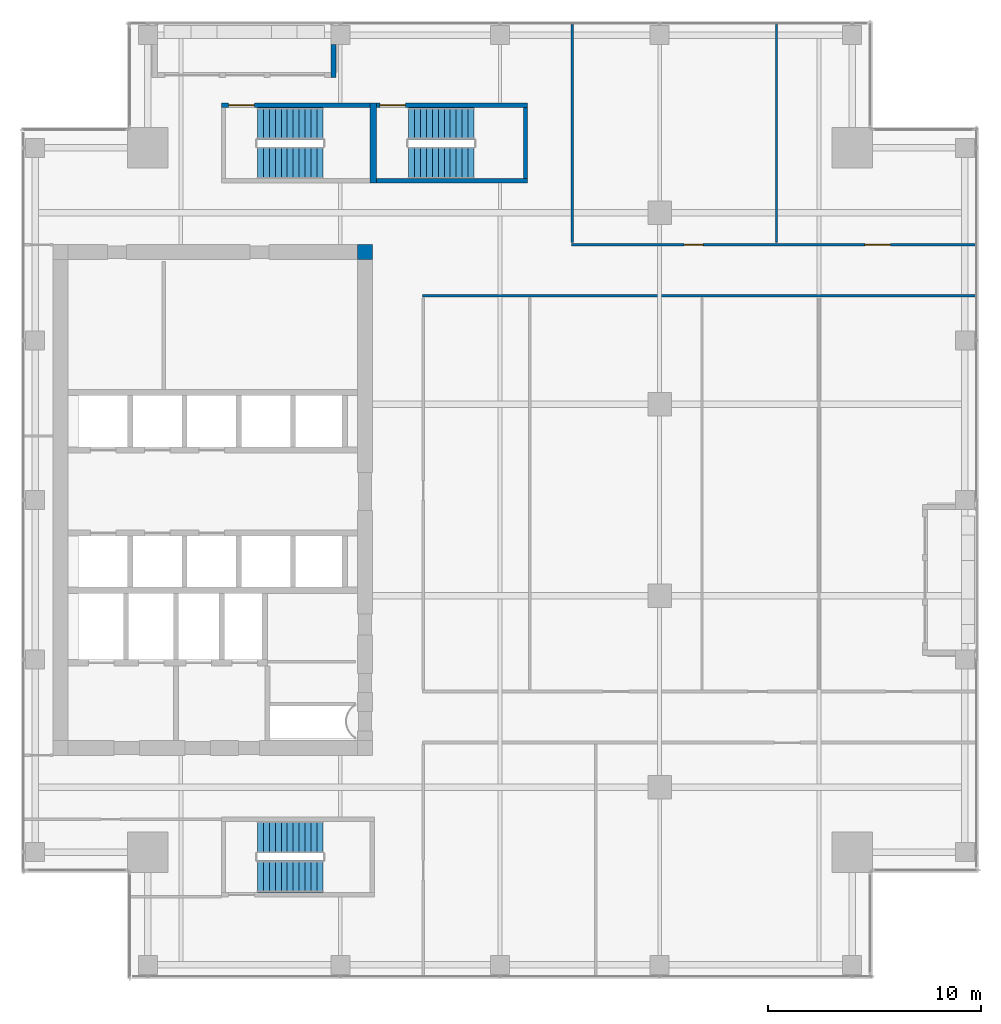
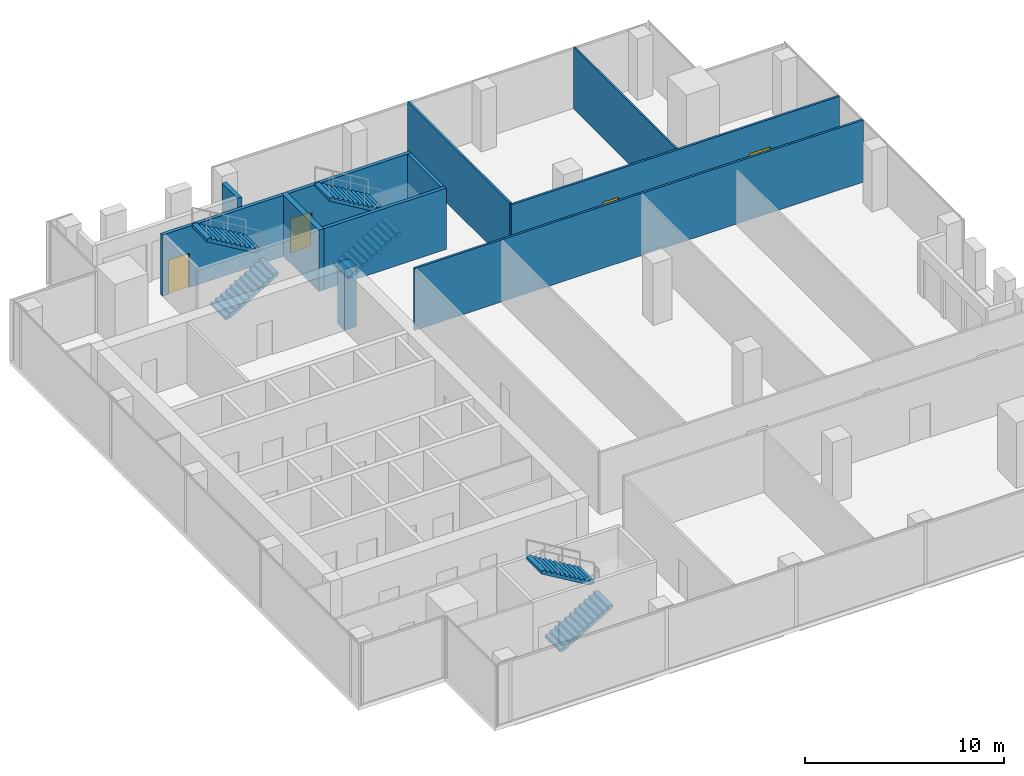
# One storey, part 32 of 35: 11 walls, 6 stair flights, 4 doors, 4 openings, 3 elements without a shape of their own.
"""IFC4 building model written with IfcOpenShell, lengths in metres."""

from ifc_helpers import new_model, si_unit, direction, frame, frame_2d, origin, place, context, subcontext, project, spatial, polyline, rectangle, outline, extrude, source, transform, mapped, material, layer, layer_set, type_object, element, fill, aggregate, save


model = new_model("IFC4")

# Units and contexts
model_context = context("Model", 3, precision=1e-05, world=origin(), true_north=direction((0.0, 1.0)))
body_context = subcontext(model_context, "Body", "Model", "MODEL_VIEW")
ifc_project = project(units=[si_unit("LENGTHUNIT", "METRE"), si_unit("AREAUNIT", "SQUARE_METRE"), si_unit("VOLUMEUNIT", "CUBIC_METRE"), si_unit("PLANEANGLEUNIT", "RADIAN"), si_unit("MASSUNIT", "GRAM", prefix="KILO")], contexts=[model_context])

# Site, building, storey
site_placement = place(None, origin())
site = spatial("IfcSite", under=ifc_project, at=site_placement, CompositionType="ELEMENT")
building_placement = place(site_placement, origin())
building = spatial("IfcBuilding", under=site, at=building_placement, Name="Khomas Fold Tower", CompositionType="ELEMENT")
storey_placement = place(building_placement, frame((0.0, 0.0, 262.199951171875)))
storey = spatial("IfcBuildingStorey", under=building, at=storey_placement, Name="L59", CompositionType="ELEMENT", Elevation=262.199951171875)

# Wall, opening, door
ifc_material_1 = material(Name="Concrete C50/60", Category="concrete")
ifc_layer_1 = layer(ifc_material_1, 0.199951171875)
ifc_layer_set_1 = layer_set([ifc_layer_1], Name="Concrete C50/60")
wall_type_1 = type_object("IfcWallType", Name="Stair wall 200", PredefinedType="SHEAR", material=ifc_layer_set_1)
shared_shape_1 = source(origin(), body_context, "Body", "SweptSolid", [
    extrude(rectangle(XDim=7.0, YDim=0.199951171875, at=frame_2d((3.5, 0.0))), origin(), (0.0, 0.0, 1.0), 3.75),
])
wall_1_placement = place(storey_placement, frame((13.89990234375, 45.550048828125, 0.0), z_axis=(0.0, 0.0, 1.0), x_axis=(1.0, 0.0, 0.0)))
wall_1 = element("IfcWall", 1, at=wall_1_placement, inside=storey, type_object=wall_type_1, Name="Stair wall SW-ST1-N", PredefinedType="SHEAR", context=body_context, shape_type="MappedRepresentation", body=[
    mapped(shared_shape_1, transform((0.0, 0.0, 0.0))),
])
shared_shape_2 = source(origin(), body_context, "Body", "SweptSolid", [
    extrude(rectangle(XDim=1.199951171875, YDim=2.10009765625, at=frame_2d((0.60009765625, 1.050048828125))), frame((0.0, 0.10986328125, 0.0), z_axis=(0.0, -1.0, 0.0), x_axis=(1.0, 0.0, 0.0)), (0.0, 0.0, 1.0), 0.219970703125),
])
opening_1_placement = place(wall_1_placement, frame((0.35009765625, 0.0, 0.0)))
opening_1 = element("IfcOpeningElement", 2, at=opening_1_placement, cuts=wall_1, Name="Opening SD-ST1", PredefinedType="OPENING", context=body_context, shape_type="MappedRepresentation", body=[
    mapped(shared_shape_2, transform((0.0, 0.0, 0.0))),
])
ifc_material_2 = material(Name="Steel door leaf", Category="steel")
door_type_1 = type_object("IfcDoorType", Name="Stair door 1200x2100 left-hand", OperationType="SINGLE_SWING_LEFT", PredefinedType="DOOR", material=ifc_material_2)
shared_shape_3 = source(origin(), body_context, "Body", "SweptSolid", [
    extrude(rectangle(XDim=1.199951171875, YDim=2.10009765625, at=frame_2d((0.60009765625, 1.050048828125))), frame((0.0, 0.02490234375, 0.0), z_axis=(0.0, -1.0, 0.0), x_axis=(1.0, 0.0, 0.0)), (0.0, 0.0, 1.0), 0.050048828125),
])
door_1_placement = place(opening_1_placement, origin())
door_1 = element("IfcDoor", 3, at=door_1_placement, inside=storey, type_object=door_type_1, Name="Stair door", OperationType="SINGLE_SWING_LEFT", OverallHeight=2.10009765625, OverallWidth=1.199951171875, PredefinedType="DOOR", context=body_context, shape_type="MappedRepresentation", body=[
    mapped(shared_shape_3, transform((0.0, 0.0, 0.0))),
])
fill(opening_1, door_1)

shared_shape_4 = source(origin(), body_context, "Body", "SweptSolid", [
    extrude(rectangle(XDim=7.10009765625, YDim=0.199951171875, at=frame_2d((3.550048828125, 0.0))), origin(), (0.0, 0.0, 1.0), 3.75),
])
wall_2_placement = place(storey_placement, frame((21.199951171875, 45.550048828125, 0.0), z_axis=(0.0, 0.0, 1.0), x_axis=(1.0, 0.0, 0.0)))
wall_2 = element("IfcWall", 4, at=wall_2_placement, inside=storey, type_object=wall_type_1, Name="Stair wall SW-ST3-N", PredefinedType="SHEAR", context=body_context, shape_type="MappedRepresentation", body=[
    mapped(shared_shape_4, transform((0.0, 0.0, 0.0))),
])
opening_2_placement = place(wall_2_placement, frame((0.14990234375, 0.0, 0.0)))
opening_2 = element("IfcOpeningElement", 5, at=opening_2_placement, cuts=wall_2, Name="Opening SD-ST3", PredefinedType="OPENING", context=body_context, shape_type="MappedRepresentation", body=[
    mapped(shared_shape_2, transform((0.0, 0.0, 0.0))),
])
door_2_placement = place(opening_2_placement, origin())
door_2 = element("IfcDoor", 6, at=door_2_placement, inside=storey, type_object=door_type_1, Name="Stair door", OperationType="SINGLE_SWING_LEFT", OverallHeight=2.10009765625, OverallWidth=1.199951171875, PredefinedType="DOOR", context=body_context, shape_type="MappedRepresentation", body=[
    mapped(shared_shape_3, transform((0.0, 0.0, 0.0))),
])
fill(opening_2, door_2)

# Walls
wall_3_placement = place(storey_placement, frame((21.199951171875, 42.0, 0.0), z_axis=(0.0, 0.0, 1.0), x_axis=(1.0, 0.0, 0.0)))
element("IfcWall", 7, at=wall_3_placement, inside=storey, type_object=wall_type_1, Name="Stair wall SW-ST3-S", PredefinedType="SHEAR", context=body_context, shape_type="MappedRepresentation", body=[
    mapped(shared_shape_4, transform((0.0, 0.0, 0.0))),
])
ifc_material_3 = material(Name="Concrete C50/60", Category="concrete")
ifc_layer_2 = layer(ifc_material_3, 0.300048828125)
ifc_layer_set_2 = layer_set([ifc_layer_2], Name="Concrete C50/60")
wall_type_2 = type_object("IfcWallType", Name="Stair wall 300", PredefinedType="SHEAR", material=ifc_layer_set_2)
shared_shape_5 = source(origin(), body_context, "Body", "SweptSolid", [
    extrude(rectangle(XDim=3.75, YDim=0.300048828125, at=frame_2d((1.875, 0.0))), origin(), (0.0, 0.0, 1.0), 3.75),
])
wall_4_placement = place(storey_placement, frame((21.050048828125, 41.89990234375, 0.0), z_axis=(0.0, 0.0, 1.0), x_axis=(0.0, 1.0, 0.0)))
element("IfcWall", 8, at=wall_4_placement, inside=storey, type_object=wall_type_2, Name="Stair wall SW-ST1-E", PredefinedType="SHEAR", context=body_context, shape_type="MappedRepresentation", body=[
    mapped(shared_shape_5, transform((0.0, 0.0, 0.0))),
])
shared_shape_6 = source(origin(), body_context, "Body", "SweptSolid", [
    extrude(rectangle(XDim=3.349853515625, YDim=0.199951171875, at=frame_2d((1.6748046875, 0.0))), origin(), (0.0, 0.0, 1.0), 3.75),
])
wall_5_placement = place(storey_placement, frame((28.199951171875, 42.10009765625, 0.0), z_axis=(0.0, 0.0, 1.0), x_axis=(0.0, 1.0, 0.0)))
element("IfcWall", 9, at=wall_5_placement, inside=storey, type_object=wall_type_1, Name="Stair wall SW-ST3-E", PredefinedType="SHEAR", context=body_context, shape_type="MappedRepresentation", body=[
    mapped(shared_shape_6, transform((0.0, 0.0, 0.0))),
])
ifc_material_4 = material(Name="Concrete C60/75", Category="concrete")
ifc_layer_3 = layer(ifc_material_4, 0.699951171875)
ifc_layer_set_3 = layer_set([ifc_layer_3], Name="Concrete C60/75")
wall_type_3 = type_object("IfcWallType", Name="Core corner wall 700", PredefinedType="SHEAR", material=ifc_layer_set_3)
shared_shape_7 = source(origin(), body_context, "Body", "SweptSolid", [
    extrude(rectangle(XDim=0.699951171875, YDim=0.699951171875, at=frame_2d((0.35009765625, 0.0))), origin(), (0.0, 0.0, 1.0), 3.75),
])
wall_6_placement = place(storey_placement, frame((20.300048828125, 38.64990234375, 0.0), z_axis=(0.0, 0.0, 1.0), x_axis=(1.0, 0.0, 0.0)))
element("IfcWall", 10, at=wall_6_placement, inside=storey, type_object=wall_type_3, Name="Core wall CW-U-NE-L49", PredefinedType="SHEAR", context=body_context, shape_type="MappedRepresentation", body=[
    mapped(shared_shape_7, transform((0.0, 0.0, 0.0))),
])
ifc_material_5 = material(Name="Natural stone", Category="masonry")
ifc_layer_4 = layer(ifc_material_5, 0.0400390625)
ifc_material_6 = material(Name="Mineral wool insulation", Category="insulation")
ifc_layer_5 = layer(ifc_material_6, 0.10009765625)
ifc_material_7 = material(Name="Masonry", Category="masonry")
ifc_layer_6 = layer(ifc_material_7, 0.110107421875)
ifc_layer_set_4 = layer_set([ifc_layer_4, ifc_layer_5, ifc_layer_6], Name="Stone-faced insulated masonry")
wall_type_4 = type_object("IfcWallType", Name="BL-Balcony wall", PredefinedType="SOLIDWALL", material=ifc_layer_set_4)
shared_shape_8 = source(origin(), body_context, "Body", "SweptSolid", [
    extrude(rectangle(XDim=1.5498046875, YDim=0.25, at=frame_2d((0.77490234375, 0.0))), origin(), (0.0, 0.0, 1.0), 3.35009765625),
])
wall_7_placement = place(storey_placement, frame((19.175048828125, 48.39990234375, 0.0), z_axis=(0.0, 0.0, 1.0), x_axis=(0.0, -1.0, 0.0)))
element("IfcWall", 11, at=wall_7_placement, inside=storey, type_object=wall_type_4, Name="Balcony return wall BAL-L59-N1-hi", PredefinedType="SOLIDWALL", context=body_context, shape_type="MappedRepresentation", body=[
    mapped(shared_shape_8, transform((0.0, 0.0, 0.0))),
])
ifc_material_8 = material(Name="Plasterboard partition")
ifc_layer_7 = layer(ifc_material_8, 0.125)
ifc_layer_set_5 = layer_set([ifc_layer_7], Name="Plasterboard partition")
wall_type_5 = type_object("IfcWallType", Name="Partition PW2 125", PredefinedType="PARTITIONING", material=ifc_layer_set_5)
shared_shape_9 = source(origin(), body_context, "Body", "SweptSolid", [
    extrude(rectangle(XDim=26.0, YDim=0.125, at=frame_2d((13.0, 0.0))), origin(), (0.0, 0.0, 1.0), 3.800048828125),
])
wall_8_placement = place(storey_placement, frame((23.35009765625, 36.60009765625, 0.0), z_axis=(0.0, 0.0, 1.0), x_axis=(1.0, 0.0, 0.0)))
element("IfcWall", 12, at=wall_8_placement, inside=storey, type_object=wall_type_5, Name="Partition", PredefinedType="PARTITIONING", context=body_context, shape_type="MappedRepresentation", body=[
    mapped(shared_shape_9, transform((0.0, 0.0, 0.0))),
])

# Wall, openings, doors
shared_shape_10 = source(origin(), body_context, "Body", "SweptSolid", [
    extrude(rectangle(XDim=19.0, YDim=0.125, at=frame_2d((9.5, 0.0))), origin(), (0.0, 0.0, 1.0), 3.800048828125),
])
wall_9_placement = place(storey_placement, frame((30.35009765625, 39.0, 0.0), z_axis=(0.0, 0.0, 1.0), x_axis=(1.0, 0.0, 0.0)))
wall_9 = element("IfcWall", 13, at=wall_9_placement, inside=storey, type_object=wall_type_5, Name="Partition", PredefinedType="PARTITIONING", context=body_context, shape_type="MappedRepresentation", body=[
    mapped(shared_shape_10, transform((0.0, 0.0, 0.0))),
])
shared_shape_11 = source(origin(), body_context, "Body", "SweptSolid", [
    extrude(rectangle(XDim=0.89990234375, YDim=2.10009765625, at=frame_2d((0.449951171875, 1.050048828125))), frame((0.0, 0.072509765625, 0.0), z_axis=(0.0, -1.0, 0.0), x_axis=(1.0, 0.0, 0.0)), (0.0, 0.0, 1.0), 0.14501953125),
])
opening_3_placement = place(wall_9_placement, frame((5.300048828125, 0.0, 0.0)))
opening_3 = element("IfcOpeningElement", 14, at=opening_3_placement, cuts=wall_9, Name="Opening 0007", PredefinedType="OPENING", context=body_context, shape_type="MappedRepresentation", body=[
    mapped(shared_shape_11, transform((0.0, 0.0, 0.0))),
])
shared_shape_12 = source(origin(), body_context, "Body", "SweptSolid", [
    extrude(rectangle(XDim=1.199951171875, YDim=2.10009765625, at=frame_2d((0.60009765625, 1.050048828125))), frame((0.0, 0.072509765625, 0.0), z_axis=(0.0, -1.0, 0.0), x_axis=(1.0, 0.0, 0.0)), (0.0, 0.0, 1.0), 0.14501953125),
])
opening_4_placement = place(wall_9_placement, frame((13.800048828125, 0.0, 0.0)))
opening_4 = element("IfcOpeningElement", 15, at=opening_4_placement, cuts=wall_9, Name="Opening 0013", PredefinedType="OPENING", context=body_context, shape_type="MappedRepresentation", body=[
    mapped(shared_shape_12, transform((0.0, 0.0, 0.0))),
])
ifc_material_9 = material(Name="Timber door leaf", Category="wood")
door_type_2 = type_object("IfcDoorType", Name="Door 900x2100 left-hand", OperationType="SINGLE_SWING_LEFT", PredefinedType="DOOR", material=ifc_material_9)
shared_shape_13 = source(origin(), body_context, "Body", "SweptSolid", [
    extrude(rectangle(XDim=0.89990234375, YDim=2.10009765625, at=frame_2d((0.449951171875, 1.050048828125))), frame((0.0, 0.02490234375, 0.0), z_axis=(0.0, -1.0, 0.0), x_axis=(1.0, 0.0, 0.0)), (0.0, 0.0, 1.0), 0.050048828125),
])
door_3_placement = place(opening_3_placement, origin())
door_3 = element("IfcDoor", 16, at=door_3_placement, inside=storey, type_object=door_type_2, Name="Door", OperationType="SINGLE_SWING_LEFT", OverallHeight=2.10009765625, OverallWidth=0.89990234375, PredefinedType="DOOR", context=body_context, shape_type="MappedRepresentation", body=[
    mapped(shared_shape_13, transform((0.0, 0.0, 0.0))),
])
fill(opening_3, door_3)
ifc_material_10 = material(Name="Timber door leaf", Category="wood")
door_type_3 = type_object("IfcDoorType", Name="Door 1200x2100 left-hand", OperationType="SINGLE_SWING_LEFT", PredefinedType="DOOR", material=ifc_material_10)
door_4_placement = place(opening_4_placement, origin())
door_4 = element("IfcDoor", 17, at=door_4_placement, inside=storey, type_object=door_type_3, Name="Door", OperationType="SINGLE_SWING_LEFT", OverallHeight=2.10009765625, OverallWidth=1.199951171875, PredefinedType="DOOR", context=body_context, shape_type="MappedRepresentation", body=[
    mapped(shared_shape_3, transform((0.0, 0.0, 0.0))),
])
fill(opening_4, door_4)

# Walls
shared_shape_14 = source(origin(), body_context, "Body", "SweptSolid", [
    extrude(rectangle(XDim=10.25, YDim=0.125, at=frame_2d((5.125, 0.0))), origin(), (0.0, 0.0, 1.0), 3.800048828125),
])
wall_10_placement = place(storey_placement, frame((30.39990234375, 39.10009765625, 0.0), z_axis=(0.0, 0.0, 1.0), x_axis=(0.0, 1.0, 0.0)))
element("IfcWall", 18, at=wall_10_placement, inside=storey, type_object=wall_type_5, Name="Partition", PredefinedType="PARTITIONING", context=body_context, shape_type="MappedRepresentation", body=[
    mapped(shared_shape_14, transform((0.0, 0.0, 0.0))),
])
ifc_material_11 = material(Name="Plasterboard partition")
ifc_layer_8 = layer(ifc_material_11, 0.10009765625)
ifc_layer_set_6 = layer_set([ifc_layer_8], Name="Plasterboard partition")
wall_type_6 = type_object("IfcWallType", Name="Partition PW1 100", PredefinedType="PARTITIONING", material=ifc_layer_set_6)
shared_shape_15 = source(origin(), body_context, "Body", "SweptSolid", [
    extrude(rectangle(XDim=10.25, YDim=0.10009765625, at=frame_2d((5.125, 0.0))), origin(), (0.0, 0.0, 1.0), 3.800048828125),
])
wall_11_placement = place(storey_placement, frame((40.0, 39.10009765625, 0.0), z_axis=(0.0, 0.0, 1.0), x_axis=(0.0, 1.0, 0.0)))
element("IfcWall", 19, at=wall_11_placement, inside=storey, type_object=wall_type_6, Name="Partition", PredefinedType="PARTITIONING", context=body_context, shape_type="MappedRepresentation", body=[
    mapped(shared_shape_15, transform((0.0, 0.0, 0.0))),
])

# Stair, stair flights
ifc_material_12 = material(Name="Concrete C40/50", Category="concrete")
stair_type_1 = type_object("IfcStairType", Name="Stair ST1", PredefinedType="HALF_TURN_STAIR", material=ifc_material_12)
stair_1_placement = place(storey_placement, origin())
stair_1 = element("IfcStair", 20, at=stair_1_placement, inside=storey, type_object=stair_type_1, Name="L59 ST1", PredefinedType="HALF_TURN_STAIR")
ifc_material_13 = material(Name="Concrete C40/50", Category="concrete")
stair_flight_type_1 = type_object("IfcStairFlightType", Name="Stair flight 1500 ST1", PredefinedType="STRAIGHT", material=ifc_material_13)
shared_shape_16 = source(origin(), body_context, "Body", "SweptSolid", [
    extrude(outline(polyline([(0.0, 0.0), (0.0, 0.012939453125), (0.0, 0.025634765625), (0.0, 0.03857421875), (0.0, 0.05126953125), (0.0, 0.064208984375), (0.0, 0.076904296875), (0.0, 0.08984375), (0.0, 0.1025390625), (0.0, 0.115478515625), (0.0, 0.128173828125), (0.0, 0.14111328125), (0.0, 0.15380859375), (0.0, 0.166748046875), (0.280029296875, 0.166748046875), (0.280029296875, 0.333251953125), (0.56005859375, 0.333251953125), (0.56005859375, 0.5), (0.840087890625, 0.5), (0.840087890625, 0.666748046875), (1.1201171875, 0.666748046875), (1.1201171875, 0.833251953125), (1.39990234375, 0.833251953125), (1.39990234375, 1.0), (1.679931640625, 1.0), (1.679931640625, 1.166748046875), (1.9599609375, 1.166748046875), (1.9599609375, 1.333251953125), (2.239990234375, 1.333251953125), (2.239990234375, 1.5), (2.52001953125, 1.5), (2.52001953125, 1.666748046875), (2.800048828125, 1.666748046875), (2.800048828125, 1.833251953125), (3.080078125, 1.833251953125), (3.080078125, 2.0), (3.080078125, 1.973876953125), (3.080078125, 1.947509765625), (3.080078125, 1.92138671875), (3.080078125, 1.89501953125), (3.080078125, 1.868896484375), (3.080078125, 1.842529296875), (3.080078125, 1.81640625), (3.080078125, 1.7900390625), (3.080078125, 1.763916015625), (3.080078125, 1.737548828125), (3.080078125, 1.71142578125), (3.080078125, 1.68505859375), (3.080078125, 1.658935546875), (0.29296875, 0.0), (0.0, 0.0)])), frame((0.0, 0.75, 0.0), z_axis=(0.0, -1.0, 0.0), x_axis=(1.0, 0.0, 0.0)), (0.0, 0.0, 1.0), 1.5),
])
stair_flight_1_placement = place(storey_placement, frame((15.60009765625, 42.85009765625, 0.0), z_axis=(0.0, 0.0, 1.0), x_axis=(1.0, 0.0, 0.0)))
stair_flight_1 = element("IfcStairFlight", 21, at=stair_flight_1_placement, type_object=stair_flight_type_1, Name="ST1 flight 1", NumberOfRisers=12, NumberOfTreads=11, PredefinedType="STRAIGHT", RiserHeight=0.166666667, TreadLength=0.28, context=body_context, shape_type="MappedRepresentation", body=[
    mapped(shared_shape_16, transform((0.0, 0.0, 0.0))),
])
stair_flight_2_placement = place(storey_placement, frame((18.679931640625, 44.699951171875, 2.0), z_axis=(0.0, 0.0, 1.0), x_axis=(-1.0, 0.0, 0.0)))
stair_flight_2 = element("IfcStairFlight", 22, at=stair_flight_2_placement, type_object=stair_flight_type_1, Name="ST1 flight 2", NumberOfRisers=12, NumberOfTreads=11, PredefinedType="STRAIGHT", RiserHeight=0.166666667, TreadLength=0.28, context=body_context, shape_type="MappedRepresentation", body=[
    mapped(shared_shape_16, transform((0.0, 0.0, 0.0))),
])
aggregate(stair_1, [stair_flight_1, stair_flight_2])

ifc_material_14 = material(Name="Concrete C40/50", Category="concrete")
stair_type_2 = type_object("IfcStairType", Name="Stair ST2", PredefinedType="HALF_TURN_STAIR", material=ifc_material_14)
stair_2_placement = place(storey_placement, origin())
stair_2 = element("IfcStair", 23, at=stair_2_placement, inside=storey, type_object=stair_type_2, Name="L59 ST2", PredefinedType="HALF_TURN_STAIR")
ifc_material_15 = material(Name="Concrete C40/50", Category="concrete")
stair_flight_type_2 = type_object("IfcStairFlightType", Name="Stair flight 1500 ST2", PredefinedType="STRAIGHT", material=ifc_material_15)
stair_flight_3_placement = place(storey_placement, frame((15.60009765625, 9.300048828125, 0.0), z_axis=(0.0, 0.0, 1.0), x_axis=(1.0, 0.0, 0.0)))
stair_flight_3 = element("IfcStairFlight", 24, at=stair_flight_3_placement, type_object=stair_flight_type_2, Name="ST2 flight 1", NumberOfRisers=12, NumberOfTreads=11, PredefinedType="STRAIGHT", RiserHeight=0.166666667, TreadLength=0.28, context=body_context, shape_type="MappedRepresentation", body=[
    mapped(shared_shape_16, transform((0.0, 0.0, 0.0))),
])
stair_flight_4_placement = place(storey_placement, frame((18.679931640625, 11.14990234375, 2.0), z_axis=(0.0, 0.0, 1.0), x_axis=(-1.0, 0.0, 0.0)))
stair_flight_4 = element("IfcStairFlight", 25, at=stair_flight_4_placement, type_object=stair_flight_type_2, Name="ST2 flight 2", NumberOfRisers=12, NumberOfTreads=11, PredefinedType="STRAIGHT", RiserHeight=0.166666667, TreadLength=0.28, context=body_context, shape_type="MappedRepresentation", body=[
    mapped(shared_shape_16, transform((0.0, 0.0, 0.0))),
])
aggregate(stair_2, [stair_flight_3, stair_flight_4])

ifc_material_16 = material(Name="Concrete C40/50", Category="concrete")
stair_type_3 = type_object("IfcStairType", Name="Stair ST3", PredefinedType="HALF_TURN_STAIR", material=ifc_material_16)
stair_3_placement = place(storey_placement, origin())
stair_3 = element("IfcStair", 26, at=stair_3_placement, inside=storey, type_object=stair_type_3, Name="L59 ST3", PredefinedType="HALF_TURN_STAIR")
ifc_material_17 = material(Name="Concrete C40/50", Category="concrete")
stair_flight_type_3 = type_object("IfcStairFlightType", Name="Stair flight 1500 ST3", PredefinedType="STRAIGHT", material=ifc_material_17)
stair_flight_5_placement = place(storey_placement, frame((22.699951171875, 42.85009765625, 0.0), z_axis=(0.0, 0.0, 1.0), x_axis=(1.0, 0.0, 0.0)))
stair_flight_5 = element("IfcStairFlight", 27, at=stair_flight_5_placement, type_object=stair_flight_type_3, Name="ST3 flight 1", NumberOfRisers=12, NumberOfTreads=11, PredefinedType="STRAIGHT", RiserHeight=0.166666667, TreadLength=0.28, context=body_context, shape_type="MappedRepresentation", body=[
    mapped(shared_shape_16, transform((0.0, 0.0, 0.0))),
])
stair_flight_6_placement = place(storey_placement, frame((25.780029296875, 44.699951171875, 2.0), z_axis=(0.0, 0.0, 1.0), x_axis=(-1.0, 0.0, 0.0)))
stair_flight_6 = element("IfcStairFlight", 28, at=stair_flight_6_placement, type_object=stair_flight_type_3, Name="ST3 flight 2", NumberOfRisers=12, NumberOfTreads=11, PredefinedType="STRAIGHT", RiserHeight=0.166666667, TreadLength=0.28, context=body_context, shape_type="MappedRepresentation", body=[
    mapped(shared_shape_16, transform((0.0, 0.0, 0.0))),
])
aggregate(stair_3, [stair_flight_5, stair_flight_6])

save(model, "model.ifc")
